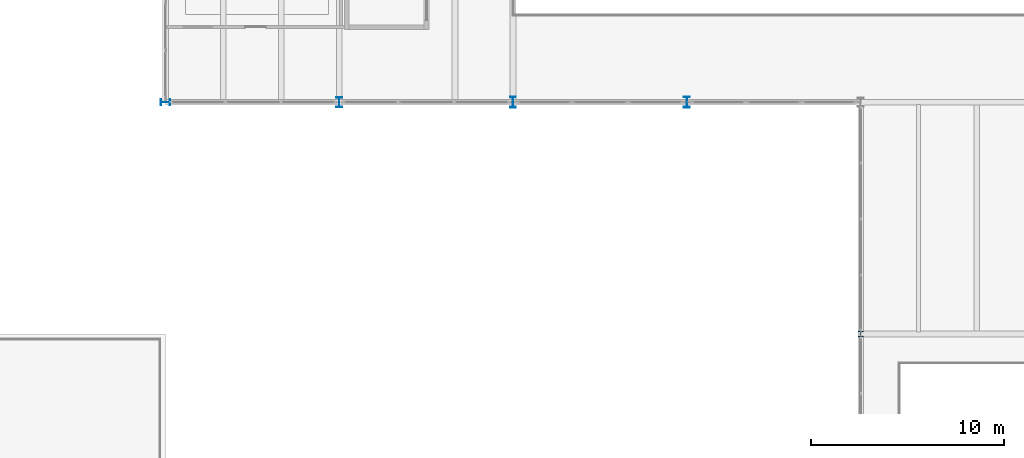
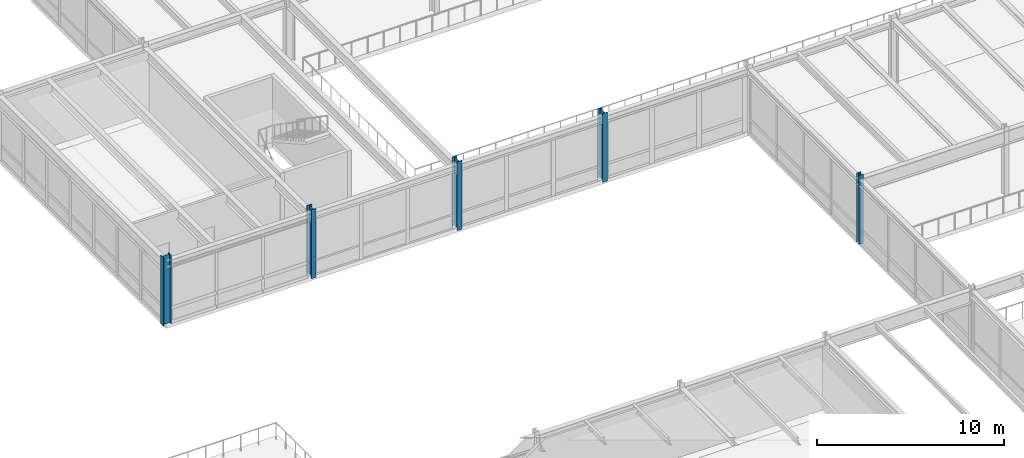
# One storey, part 8 of 127: 5 columns.
"""IFC4 building model written with IfcOpenShell, lengths in metres."""

import ifcopenshell
import ifcopenshell.guid

model = None  # the IFC model being written
_history = None  # IfcOwnerHistory: only IFC2X3 demands one
_inside = {}  # id of a spatial element -> (the spatial element, [elements in it])
_under = {}  # id of a project, library or spatial element -> (it, [spatial elements below it])
_declared = {}  # id of a project -> (the project, [libraries it declares])
_typed = {}  # id of a type object -> (the type object, [elements of that type])
_made_of = {}  # id of a material, layer set ... -> (it, [elements and type objects made of it])


def new_model(schema):
    """Start an empty IFC model of exactly this schema.

    Asked for "IFC4X3", IfcOpenShell would pick the latest addendum, in which some entities
    have other attributes; the version numbers below select the first issue.
    IFC2X3 requires an IfcOwnerHistory on every rooted entity: one is made here for all.
    """
    global model, _history
    if schema == "IFC4X3":
        model = ifcopenshell.file(schema_version=(4, 3, 0, 0))
    else:
        model = ifcopenshell.file(schema=schema)
    _inside.clear()
    _under.clear()
    _declared.clear()
    _typed.clear()
    _made_of.clear()
    _history = None
    if model.schema == "IFC2X3":
        org = make("IfcOrganization", Name="unknown")
        user = make(
            "IfcPersonAndOrganization",
            ThePerson=make("IfcPerson", FamilyName="unknown"),
            TheOrganization=org,
        )
        app = make(
            "IfcApplication",
            ApplicationDeveloper=org,
            Version="unknown",
            ApplicationFullName="unknown",
            ApplicationIdentifier="unknown",
        )
        _history = make(
            "IfcOwnerHistory",
            OwningUser=user,
            OwningApplication=app,
            ChangeAction="ADDED",
            CreationDate=0,
        )
    return model


def make(cls, **values):
    """One entity of the class cls with the attributes given. An attribute that is None is left unset."""
    return model.create_entity(
        cls, **{name: value for name, value in values.items() if value is not None}
    )


def rooted(cls, **values):
    """An entity with a GlobalId (a new one), such as an element, a storey or a relation."""
    return make(cls, GlobalId=ifcopenshell.guid.new(), OwnerHistory=_history, **values)


def si_unit(unit_type, name, prefix=None):
    """IfcSIUnit, for example si_unit("LENGTHUNIT", "METRE", prefix="MILLI")."""
    return make("IfcSIUnit", UnitType=unit_type, Prefix=prefix, Name=name)


def assignment(units):
    """IfcUnitAssignment: the units of a project."""
    return None if units is None else make("IfcUnitAssignment", Units=units)


def point(xyz):
    """IfcCartesianPoint."""
    return None if xyz is None else make("IfcCartesianPoint", Coordinates=xyz)


def direction(xyz):
    """IfcDirection."""
    return None if xyz is None else make("IfcDirection", DirectionRatios=xyz)


def frame(location, z_axis=None, x_axis=None):
    """IfcAxis2Placement3D, a coordinate frame: its origin and axes. An axis left out is left unset."""
    return make(
        "IfcAxis2Placement3D",
        Location=point(location),
        Axis=direction(z_axis),
        RefDirection=direction(x_axis),
    )


def frame_2d(location, x_axis=None):
    """IfcAxis2Placement2D, a coordinate frame in the plane: its origin and x axis."""
    return make(
        "IfcAxis2Placement2D", Location=point(location), RefDirection=direction(x_axis)
    )


def origin():
    """The frame at (0, 0, 0) with its axes left unset."""
    return frame((0.0, 0.0, 0.0))


def origin_2d():
    """The frame at (0, 0) in the plane with its x axis left unset."""
    return frame_2d((0.0, 0.0))


def place(relative_to, where):
    """IfcLocalPlacement: puts the frame where relative to a parent placement (None: the world)."""
    return make(
        "IfcLocalPlacement", PlacementRelTo=relative_to, RelativePlacement=where
    )


def context(
    kind, dimensions, precision=None, world=None, true_north=None, identifier=None
):
    """IfcGeometricRepresentationContext, for example the 3D "Model" context."""
    return make(
        "IfcGeometricRepresentationContext",
        ContextIdentifier=identifier,
        ContextType=kind,
        CoordinateSpaceDimension=dimensions,
        Precision=precision,
        WorldCoordinateSystem=world,
        TrueNorth=true_north,
    )


def subcontext(parent, identifier, kind, view, scale=None):
    """IfcGeometricRepresentationSubContext, for example "Body" below "Model"."""
    return make(
        "IfcGeometricRepresentationSubContext",
        ContextIdentifier=identifier,
        ContextType=kind,
        ParentContext=parent,
        TargetScale=scale,
        TargetView=view,
    )


def project(units=None, contexts=None):
    """IfcProject with its units and contexts."""
    return rooted(
        "IfcProject",
        Name="project",
        RepresentationContexts=contexts,
        UnitsInContext=assignment(units),
    )


def spatial(cls, under=None, at=None, **own):
    """A site, building, storey or space (cls), placed at a placement, below another one or the project."""
    s = rooted(cls, ObjectPlacement=at, **own)
    if under is not None:
        _under.setdefault(under.id(), (under, []))[1].append(s)
    return s


def profile(cls, at=None, kind="AREA", **sizes):
    """A parametric profile (cls). Its sizes go by their IFC names, for example OverallWidth=200.0."""
    return make(cls, ProfileType=kind, Position=at, **sizes)


def i_section(**sizes):
    """IfcIShapeProfileDef."""
    return profile("IfcIShapeProfileDef", **sizes)


def extrude(swept, where, along, depth):
    """IfcExtrudedAreaSolid: the profile swept, set in the frame where, extruded along a direction by depth."""
    return make(
        "IfcExtrudedAreaSolid",
        SweptArea=swept,
        Position=where,
        ExtrudedDirection=direction(along),
        Depth=depth,
    )


def shape(context_of_items, identifier, shape_type, items):
    """IfcShapeRepresentation: the items that make up one representation, for example the "Body"."""
    return make(
        "IfcShapeRepresentation",
        ContextOfItems=context_of_items,
        RepresentationIdentifier=identifier,
        RepresentationType=shape_type,
        Items=items,
    )


def material(Name=None, Category=None):
    """IfcMaterial."""
    return make("IfcMaterial", Name=Name, Category=Category)


def material_profile(
    of_material, cross_section, Name=None, Category=None, Priority=None
):
    """IfcMaterialProfile: a cross section and its material."""
    return make(
        "IfcMaterialProfile",
        Name=Name,
        Material=of_material,
        Profile=cross_section,
        Priority=Priority,
        Category=Category,
    )


def profile_set(profiles, Name=None, composite=None):
    """IfcMaterialProfileSet."""
    return make(
        "IfcMaterialProfileSet",
        Name=Name,
        MaterialProfiles=profiles,
        CompositeProfile=composite,
    )


def made_of(thing, what):
    """Note that an element or type object is made of a material, layer set ...; save() writes the relation."""
    if what is not None:
        _made_of.setdefault(what.id(), (what, []))[1].append(thing)
    return thing


def type_object(cls, material=None, **own):
    """A type object (cls), such as IfcWallType, which elements share."""
    return made_of(rooted(cls, **own), material)


def element(
    cls,
    number,
    at=None,
    inside=None,
    cuts=None,
    type_object=None,
    material=None,
    context=None,
    identifier="Body",
    shape_type=None,
    held_by="IfcProductDefinitionShape",
    body=None,
    shapes=None,
    **own,
):
    """One element of the class cls, such as IfcWall. Its Tag is "e" and its number.

    at: its placement. inside: the storey or other place that contains it. cuts: it is an
    opening in that element (IfcRelVoidsElement). A single representation is given by context,
    identifier, shape_type and body (its items); several are given by shapes. held_by: the class
    of the entity that holds the representations. save() writes the other relations.
    """
    e = rooted(cls, Tag="e%d" % number, ObjectPlacement=at, **own)
    if body is not None:
        shapes = [shape(context, identifier, shape_type, body)]
    if shapes is not None:
        e.Representation = make(held_by, Representations=shapes)
    if inside is not None:
        _inside.setdefault(inside.id(), (inside, []))[1].append(e)
    if cuts is not None:
        rooted(
            "IfcRelVoidsElement", RelatingBuildingElement=cuts, RelatedOpeningElement=e
        )
    if type_object is not None:
        _typed.setdefault(type_object.id(), (type_object, []))[1].append(e)
    return made_of(e, material)


def aggregate(whole, parts):
    """IfcRelAggregates: a whole, such as a stair, and the parts it consists of."""
    return rooted("IfcRelAggregates", RelatingObject=whole, RelatedObjects=parts)


def save(model, path):
    """Write the relations noted so far, then the file.

    IfcRelAggregates (storeys below a building ...), IfcRelContainedInSpatialStructure (elements
    in a storey), IfcRelDefinesByType, IfcRelAssociatesMaterial and IfcRelDeclares: one each for
    every whole, place, type object, material and project.
    """
    for whole, parts in _under.values():
        aggregate(whole, parts)
    for where, things in _inside.values():
        rooted(
            "IfcRelContainedInSpatialStructure",
            RelatedElements=things,
            RelatingStructure=where,
        )
    for kind, things in _typed.values():
        rooted("IfcRelDefinesByType", RelatedObjects=things, RelatingType=kind)
    for what, things in _made_of.values():
        rooted("IfcRelAssociatesMaterial", RelatedObjects=things, RelatingMaterial=what)
    for by, libraries in _declared.values():
        rooted("IfcRelDeclares", RelatingContext=by, RelatedDefinitions=libraries)
    model.write(path)


model = new_model("IFC4")

# Units and contexts
model_context = context("Model", 3, precision=1e-05, world=origin(), true_north=direction((0.0, 1.0)))
body_context = subcontext(model_context, "Body", "Model", "MODEL_VIEW")
ifc_project = project(units=[si_unit("LENGTHUNIT", "METRE"), si_unit("AREAUNIT", "SQUARE_METRE"), si_unit("VOLUMEUNIT", "CUBIC_METRE"), si_unit("PLANEANGLEUNIT", "RADIAN"), si_unit("MASSUNIT", "GRAM", prefix="KILO")], contexts=[model_context])

# Site, building, storey
site_placement = place(None, origin())
site = spatial("IfcSite", under=ifc_project, at=site_placement, CompositionType="ELEMENT")
building_placement = place(site_placement, origin())
building = spatial("IfcBuilding", under=site, at=building_placement, Name="Montelvaro Courts of Justice", CompositionType="ELEMENT")
storey_placement = place(building_placement, frame((0.0, 0.0, 5.39990234375)))
storey = spatial("IfcBuildingStorey", under=building, at=storey_placement, Name="L01", CompositionType="ELEMENT", Elevation=5.39990234375)

# Columns
ifc_material = material(Name="Steel S355", Category="steel")
ifc_material_profile_1 = material_profile(ifc_material, i_section(OverallWidth=0.280029296875, OverallDepth=0.280029296875, WebThickness=0.010498046875, FlangeThickness=0.01806640625, at=origin_2d()), Name="HEB 280")
ifc_profile_set_1 = profile_set([ifc_material_profile_1], Name="Steel S355")
column_type_1 = type_object("IfcColumnType", Name="Col_HEB280", PredefinedType="COLUMN", material=ifc_profile_set_1)
column_placement = place(storey_placement, frame((54.0, 66.0, 0.0), z_axis=(0.0, 0.0, 1.0), x_axis=(1.0, 0.0, 0.0)))
element("IfcColumn", 1, at=column_placement, inside=storey, type_object=column_type_1, Name="Column C-02 L01 7/F", PredefinedType="COLUMN", context=body_context, shape_type="SweptSolid", body=[
    extrude(i_section(OverallWidth=0.280029296875, OverallDepth=0.280029296875, WebThickness=0.010498046875, FlangeThickness=0.01806640625, at=origin_2d()), origin(), (0.0, 0.0, 1.0), 4.5),
])
ifc_material_profile_2 = material_profile(ifc_material, i_section(OverallWidth=0.300048828125, OverallDepth=0.5, WebThickness=0.014404296875, FlangeThickness=0.028076171875, at=origin_2d()), Name="HEB 500")
ifc_profile_set_2 = profile_set([ifc_material_profile_2], Name="Steel S355")
column_type_2 = type_object("IfcColumnType", Name="Col_HEB500", PredefinedType="COLUMN", material=ifc_profile_set_2)
for number, where, z_axis, x_axis, name in (
    (2, (18.0, 78.0, 0.0), (0.0, 0.0, 1.0), (0.0, 1.0, 0.0), "Column C-09 L01 3/G"),
    (3, (27.0, 78.0, 0.0), (0.0, 0.0, 1.0), (1.0, 0.0, 0.0), "Column C-09 L01 4/G"),
):
    element("IfcColumn", number, at=place(storey_placement, frame(where, z_axis=z_axis, x_axis=x_axis)), inside=storey, type_object=column_type_2, Name=name, PredefinedType="COLUMN", context=body_context, shape_type="SweptSolid", body=[
        extrude(i_section(OverallWidth=0.300048828125, OverallDepth=0.5, WebThickness=0.014404296875, FlangeThickness=0.028076171875, at=origin_2d()), origin(), (0.0, 0.0, 1.0), 4.5),
    ])
ifc_material_profile_3 = material_profile(ifc_material, i_section(OverallWidth=0.300048828125, OverallDepth=0.550048828125, WebThickness=0.014892578125, FlangeThickness=0.029052734375, at=origin_2d()), Name="HEB 550")
ifc_profile_set_3 = profile_set([ifc_material_profile_3], Name="Steel S355")
column_type_3 = type_object("IfcColumnType", Name="Col_HEB550", PredefinedType="COLUMN", material=ifc_profile_set_3)
for number, where, z_axis, x_axis, name in (
    (4, (36.0, 78.0, 0.0), (0.0, 0.0, 1.0), (1.0, 0.0, 0.0), "Column C-10 L01 5/G"),
    (5, (45.0, 78.0, 0.0), (0.0, 0.0, 1.0), (1.0, 0.0, 0.0), "Column C-10 L01 6/G"),
):
    element("IfcColumn", number, at=place(storey_placement, frame(where, z_axis=z_axis, x_axis=x_axis)), inside=storey, type_object=column_type_3, Name=name, PredefinedType="COLUMN", context=body_context, shape_type="SweptSolid", body=[
        extrude(i_section(OverallWidth=0.300048828125, OverallDepth=0.550048828125, WebThickness=0.014892578125, FlangeThickness=0.029052734375, at=origin_2d()), origin(), (0.0, 0.0, 1.0), 4.5),
    ])

save(model, "model.ifc")
